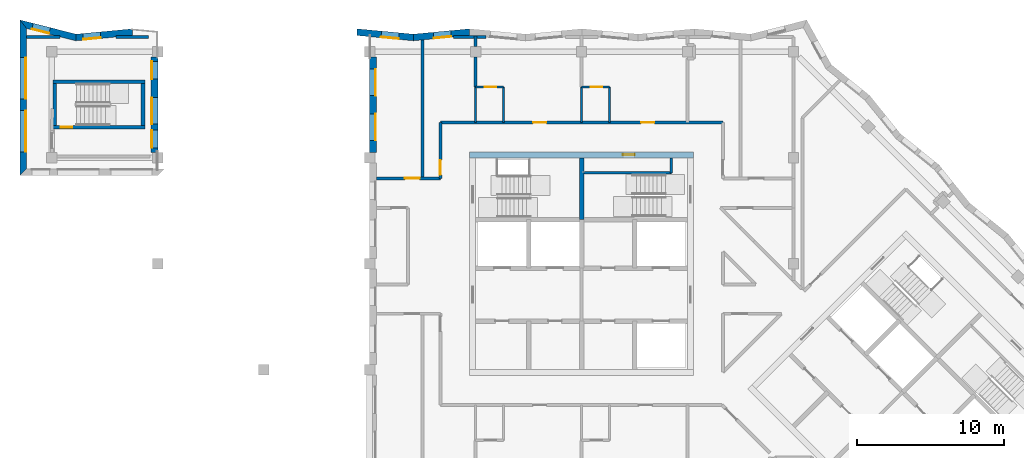
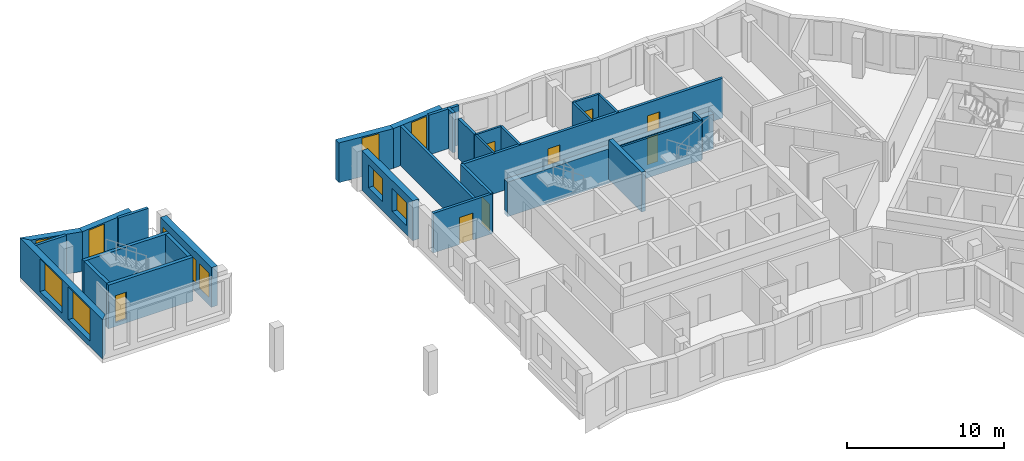
# One storey, part 5 of 12: 30 walls, 11 windows, 8 doors, 19 openings.
"""IFC4 building model written with IfcOpenShell, lengths in metres."""

from ifc_helpers import new_model, si_unit, direction, frame, frame_2d, origin, place, context, subcontext, project, spatial, polyline, rectangle, outline, extrude, material, layer, layer_set, type_object, element, fill, save


model = new_model("IFC4")

# Units and contexts
model_context = context("Model", 3, precision=1e-05, world=origin(), true_north=direction((0.0, 1.0)))
body_context = subcontext(model_context, "Body", "Model", "MODEL_VIEW")
ifc_project = project(units=[si_unit("LENGTHUNIT", "METRE"), si_unit("AREAUNIT", "SQUARE_METRE"), si_unit("VOLUMEUNIT", "CUBIC_METRE"), si_unit("PLANEANGLEUNIT", "RADIAN"), si_unit("MASSUNIT", "GRAM", prefix="KILO")], contexts=[model_context])

# Site, building, storey
site_placement = place(None, origin())
site = spatial("IfcSite", under=ifc_project, at=site_placement, CompositionType="ELEMENT")
building_placement = place(site_placement, origin())
building = spatial("IfcBuilding", under=site, at=building_placement, Name="Windrow Commons", CompositionType="ELEMENT")
storey_placement = place(building_placement, frame((0.0, 0.0, 250.6)))
storey = spatial("IfcBuildingStorey", under=building, at=storey_placement, Name="L68", CompositionType="ELEMENT", Elevation=250.6)

# Wall, opening, window
ifc_material_1 = material(Name="Brick masonry, red clay brick", Category="masonry")
ifc_layer_1 = layer(ifc_material_1, 0.45)
ifc_layer_set_1 = layer_set([ifc_layer_1], Name="Brick facade wall 450")
wall_type_1 = type_object("IfcWallType", Name="Brick facade wall 450", PredefinedType="SOLIDWALL", material=ifc_layer_set_1)
wall_1_placement = place(storey_placement, frame((57.1854, 73.335, 0.0), z_axis=(0.0, 0.0, 1.0), x_axis=(-0.9955603917, -0.0941249513, 0.0)))
wall_1 = element("IfcWall", 1, at=wall_1_placement, inside=storey, type_object=wall_type_1, Name="Brick facade wall L68 23", PredefinedType="SOLIDWALL", context=body_context, shape_type="SweptSolid", body=[
    extrude(outline(polyline([(-0.0213, -0.225), (3.8141, -0.225), (3.8566, 0.225), (0.0213, 0.225), (-0.0213, -0.225)])), origin(), (0.0, 0.0, 1.0), 3.1),
])
opening_1_placement = place(wall_1_placement, frame((1.2604, 0.0, 0.45)))
opening_1 = element("IfcOpeningElement", 2, at=opening_1_placement, cuts=wall_1, Name="Opening W7F", PredefinedType="OPENING", context=body_context, shape_type="SweptSolid", body=[
    extrude(rectangle(XDim=1.2, YDim=2.55, at=frame_2d((0.6, 1.275))), frame((0.0, 0.235, 0.0), z_axis=(0.0, -1.0, 0.0), x_axis=(1.0, 0.0, 0.0)), (0.0, 0.0, 1.0), 0.47),
])
ifc_material_2 = material(Name="Clear float glass in anodised aluminium frame", Category="aluminium")
window_type_1 = type_object("IfcWindowType", Name="Window W7 notch 1200x2550", PartitioningType="SINGLE_PANEL", PredefinedType="WINDOW", material=ifc_material_2)
window_1_placement = place(opening_1_placement, origin())
window_1 = element("IfcWindow", 3, at=window_1_placement, inside=storey, type_object=window_type_1, Name="Window L68 23.1", OverallHeight=2.55, OverallWidth=1.2, PartitioningType="SINGLE_PANEL", PredefinedType="WINDOW", context=body_context, shape_type="SweptSolid", body=[
    extrude(rectangle(XDim=1.2, YDim=2.55, at=frame_2d((0.6, 1.275))), frame((0.0, 0.205, 0.0), z_axis=(0.0, -1.0, 0.0), x_axis=(1.0, 0.0, 0.0)), (0.0, 0.0, 1.0), 0.06),
])
fill(opening_1, window_1)

wall_2_placement = place(storey_placement, frame((53.3671, 72.974, 0.0), z_axis=(0.0, 0.0, 1.0), x_axis=(-0.9955603917, 0.0941249513, 0.0)))
wall_2 = element("IfcWall", 4, at=wall_2_placement, inside=storey, type_object=wall_type_1, Name="Brick facade wall L68 24", PredefinedType="SOLIDWALL", context=body_context, shape_type="SweptSolid", body=[
    extrude(outline(polyline([(0.0213, -0.225), (3.8566, -0.225), (3.8141, 0.225), (-0.0213, 0.225), (0.0213, -0.225)])), origin(), (0.0, 0.0, 1.0), 3.1),
])
opening_2_placement = place(wall_2_placement, frame((0.9902, 0.0, 0.45)))
opening_2 = element("IfcOpeningElement", 5, at=opening_2_placement, cuts=wall_2, Name="Opening W7F", PredefinedType="OPENING", context=body_context, shape_type="SweptSolid", body=[
    extrude(rectangle(XDim=1.2, YDim=2.55, at=frame_2d((0.6, 1.275))), frame((0.0, 0.235, 0.0), z_axis=(0.0, -1.0, 0.0), x_axis=(1.0, 0.0, 0.0)), (0.0, 0.0, 1.0), 0.47),
])
window_2_placement = place(opening_2_placement, origin())
window_2 = element("IfcWindow", 6, at=window_2_placement, inside=storey, type_object=window_type_1, Name="Window L68 24.1", OverallHeight=2.55, OverallWidth=1.2, PartitioningType="SINGLE_PANEL", PredefinedType="WINDOW", context=body_context, shape_type="SweptSolid", body=[
    extrude(rectangle(XDim=1.2, YDim=2.55, at=frame_2d((0.6, 1.275))), frame((0.0, 0.205, 0.0), z_axis=(0.0, -1.0, 0.0), x_axis=(1.0, 0.0, 0.0)), (0.0, 0.0, 1.0), 0.06),
])
fill(opening_2, window_2)

wall_3_placement = place(storey_placement, frame((34.2756, 73.335, 0.0), z_axis=(0.0, 0.0, 1.0), x_axis=(-0.995561488, -0.0941133549, 0.0)))
wall_3 = element("IfcWall", 7, at=wall_3_placement, inside=storey, type_object=wall_type_1, Name="Brick facade wall L68 29", PredefinedType="SOLIDWALL", context=body_context, shape_type="SweptSolid", body=[
    extrude(outline(polyline([(-0.0213, -0.225), (3.8141, -0.225), (3.8915, 0.225), (0.0213, 0.225), (-0.0213, -0.225)])), origin(), (0.0, 0.0, 1.0), 3.1),
])
opening_3_placement = place(wall_3_placement, frame((2.1684, 0.0, 0.45)))
opening_3 = element("IfcOpeningElement", 8, at=opening_3_placement, cuts=wall_3, Name="Opening W7F", PredefinedType="OPENING", context=body_context, shape_type="SweptSolid", body=[
    extrude(rectangle(XDim=1.2, YDim=2.55, at=frame_2d((0.6, 1.275))), frame((0.0, 0.235, 0.0), z_axis=(0.0, -1.0, 0.0), x_axis=(1.0, 0.0, 0.0)), (0.0, 0.0, 1.0), 0.47),
])
window_3_placement = place(opening_3_placement, origin())
window_3 = element("IfcWindow", 9, at=window_3_placement, inside=storey, type_object=window_type_1, Name="Window L68 29.2", OverallHeight=2.55, OverallWidth=1.2, PartitioningType="SINGLE_PANEL", PredefinedType="WINDOW", context=body_context, shape_type="SweptSolid", body=[
    extrude(rectangle(XDim=1.2, YDim=2.55, at=frame_2d((0.6, 1.275))), frame((0.0, 0.205, 0.0), z_axis=(0.0, -1.0, 0.0), x_axis=(1.0, 0.0, 0.0)), (0.0, 0.0, 1.0), 0.06),
])
fill(opening_3, window_3)

wall_4_placement = place(storey_placement, frame((30.4399, 72.9724, 0.0), z_axis=(0.0, 0.0, 1.0), x_axis=(-0.9697568262, 0.2440731406, 0.0)))
wall_4 = element("IfcWall", 10, at=wall_4_placement, inside=storey, type_object=wall_type_1, Name="Brick facade wall L68 30", PredefinedType="SOLIDWALL", context=body_context, shape_type="SweptSolid", body=[
    extrude(outline(polyline([(0.0387, -0.225), (3.9761, -0.225), (3.3988, 0.225), (-0.0387, 0.225), (0.0387, -0.225)])), origin(), (0.0, 0.0, 1.0), 3.1),
])
opening_4_placement = place(wall_4_placement, frame((1.8449, 0.0, 0.45)))
opening_4 = element("IfcOpeningElement", 11, at=opening_4_placement, cuts=wall_4, Name="Opening W7F", PredefinedType="OPENING", context=body_context, shape_type="SweptSolid", body=[
    extrude(rectangle(XDim=1.2, YDim=2.55, at=frame_2d((0.6, 1.275))), frame((0.0, 0.235, 0.0), z_axis=(0.0, -1.0, 0.0), x_axis=(1.0, 0.0, 0.0)), (0.0, 0.0, 1.0), 0.47),
])
window_4_placement = place(opening_4_placement, origin())
window_4 = element("IfcWindow", 12, at=window_4_placement, inside=storey, type_object=window_type_1, Name="Window L68 30.2", OverallHeight=2.55, OverallWidth=1.2, PartitioningType="SINGLE_PANEL", PredefinedType="WINDOW", context=body_context, shape_type="SweptSolid", body=[
    extrude(rectangle(XDim=1.2, YDim=2.55, at=frame_2d((0.6, 1.275))), frame((0.0, 0.205, 0.0), z_axis=(0.0, -1.0, 0.0), x_axis=(1.0, 0.0, 0.0)), (0.0, 0.0, 1.0), 0.06),
])
fill(opening_4, window_4)

# Wall, openings, windows
wall_5_placement = place(storey_placement, frame((26.864, 73.8724, 0.0), z_axis=(0.0, 0.0, 1.0), x_axis=(0.0, -1.0, 0.0)))
wall_5 = element("IfcWall", 13, at=wall_5_placement, inside=storey, type_object=wall_type_1, Name="Brick facade wall L68 31", PredefinedType="SOLIDWALL", context=body_context, shape_type="SweptSolid", body=[
    extrude(outline(polyline([(-0.2886, -0.225), (10.2724, -0.225), (9.8224, 0.225), (0.2886, 0.225), (-0.2886, -0.225)])), origin(), (0.0, 0.0, 1.0), 3.1),
])
opening_5_placement = place(wall_5_placement, frame((2.2724, 0.0, 0.45)))
opening_5 = element("IfcOpeningElement", 14, at=opening_5_placement, cuts=wall_5, Name="Opening W1V", PredefinedType="OPENING", context=body_context, shape_type="SweptSolid", body=[
    extrude(rectangle(XDim=2.8, YDim=2.55, at=frame_2d((1.4, 1.275))), frame((0.0, 0.235, 0.0), z_axis=(0.0, -1.0, 0.0), x_axis=(1.0, 0.0, 0.0)), (0.0, 0.0, 1.0), 0.47),
])
opening_6_placement = place(wall_5_placement, frame((5.8724, 0.0, 0.45)))
opening_6 = element("IfcOpeningElement", 15, at=opening_6_placement, cuts=wall_5, Name="Opening W1V", PredefinedType="OPENING", context=body_context, shape_type="SweptSolid", body=[
    extrude(rectangle(XDim=2.8, YDim=2.55, at=frame_2d((1.4, 1.275))), frame((0.0, 0.235, 0.0), z_axis=(0.0, -1.0, 0.0), x_axis=(1.0, 0.0, 0.0)), (0.0, 0.0, 1.0), 0.47),
])
ifc_material_3 = material(Name="Clear float glass in anodised aluminium frame", Category="aluminium")
window_type_2 = type_object("IfcWindowType", Name="Window W1V bedroom 2800x2550", PartitioningType="SINGLE_PANEL", PredefinedType="WINDOW", material=ifc_material_3)
window_5_placement = place(opening_5_placement, origin())
window_5 = element("IfcWindow", 16, at=window_5_placement, inside=storey, type_object=window_type_2, Name="Window L68 31.1", OverallHeight=2.55, OverallWidth=2.8, PartitioningType="SINGLE_PANEL", PredefinedType="WINDOW", context=body_context, shape_type="SweptSolid", body=[
    extrude(rectangle(XDim=2.8, YDim=2.55, at=frame_2d((1.4, 1.275))), frame((0.0, 0.205, 0.0), z_axis=(0.0, -1.0, 0.0), x_axis=(1.0, 0.0, 0.0)), (0.0, 0.0, 1.0), 0.06),
])
fill(opening_5, window_5)
window_6_placement = place(opening_6_placement, origin())
window_6 = element("IfcWindow", 17, at=window_6_placement, inside=storey, type_object=window_type_2, Name="Window L68 31.2", OverallHeight=2.55, OverallWidth=2.8, PartitioningType="SINGLE_PANEL", PredefinedType="WINDOW", context=body_context, shape_type="SweptSolid", body=[
    extrude(rectangle(XDim=2.8, YDim=2.55, at=frame_2d((1.4, 1.275))), frame((0.0, 0.205, 0.0), z_axis=(0.0, -1.0, 0.0), x_axis=(1.0, 0.0, 0.0)), (0.0, 0.0, 1.0), 0.06),
])
fill(opening_6, window_6)

wall_6_placement = place(storey_placement, frame((35.775, 65.15, 0.0), z_axis=(0.0, 0.0, 1.0), x_axis=(0.0, 1.0, 0.0)))
wall_6 = element("IfcWall", 18, at=wall_6_placement, inside=storey, type_object=wall_type_1, Name="Brick portal return L68 6", PredefinedType="SOLIDWALL", context=body_context, shape_type="SweptSolid", body=[
    extrude(rectangle(XDim=6.5, YDim=0.45, at=frame_2d((3.25, 0.0))), origin(), (0.0, 0.0, 1.0), 3.1),
])
opening_7_placement = place(wall_6_placement, frame((0.325, 0.0, 0.6)))
opening_7 = element("IfcOpeningElement", 19, at=opening_7_placement, cuts=wall_6, Name="Opening W7G", PredefinedType="OPENING", context=body_context, shape_type="SweptSolid", body=[
    extrude(rectangle(XDim=1.2, YDim=1.9, at=frame_2d((0.6, 0.95))), frame((0.0, 0.235, 0.0), z_axis=(0.0, -1.0, 0.0), x_axis=(1.0, 0.0, 0.0)), (0.0, 0.0, 1.0), 0.47),
])
opening_8_placement = place(wall_6_placement, frame((1.9375, 0.0, 0.7)))
opening_8 = element("IfcOpeningElement", 20, at=opening_8_placement, cuts=wall_6, Name="Opening W8", PredefinedType="OPENING", context=body_context, shape_type="SweptSolid", body=[
    extrude(rectangle(XDim=1.8, YDim=1.8, at=frame_2d((0.9, 0.9))), frame((0.0, 0.235, 0.0), z_axis=(0.0, -1.0, 0.0), x_axis=(1.0, 0.0, 0.0)), (0.0, 0.0, 1.0), 0.47),
])
opening_9_placement = place(wall_6_placement, frame((5.0, 0.0, 0.6)))
opening_9 = element("IfcOpeningElement", 21, at=opening_9_placement, cuts=wall_6, Name="Opening W7G", PredefinedType="OPENING", context=body_context, shape_type="SweptSolid", body=[
    extrude(rectangle(XDim=1.2, YDim=1.9, at=frame_2d((0.6, 0.95))), frame((0.0, 0.235, 0.0), z_axis=(0.0, -1.0, 0.0), x_axis=(1.0, 0.0, 0.0)), (0.0, 0.0, 1.0), 0.47),
])
ifc_material_4 = material(Name="Clear float glass in anodised aluminium frame", Category="aluminium")
window_type_3 = type_object("IfcWindowType", Name="Window W7 notch 1200x1900", PartitioningType="SINGLE_PANEL", PredefinedType="WINDOW", material=ifc_material_4)
window_7_placement = place(opening_7_placement, origin())
window_7 = element("IfcWindow", 22, at=window_7_placement, inside=storey, type_object=window_type_3, Name="Window L68 portal 6.1.1A", OverallHeight=1.9, OverallWidth=1.2, PartitioningType="SINGLE_PANEL", PredefinedType="WINDOW", context=body_context, shape_type="SweptSolid", body=[
    extrude(rectangle(XDim=1.2, YDim=1.9, at=frame_2d((0.6, 0.95))), frame((0.0, 0.205, 0.0), z_axis=(0.0, -1.0, 0.0), x_axis=(1.0, 0.0, 0.0)), (0.0, 0.0, 1.0), 0.06),
])
fill(opening_7, window_7)
window_8_placement = place(opening_9_placement, origin())
window_8 = element("IfcWindow", 23, at=window_8_placement, inside=storey, type_object=window_type_3, Name="Window L68 portal 6.1.2A", OverallHeight=1.9, OverallWidth=1.2, PartitioningType="SINGLE_PANEL", PredefinedType="WINDOW", context=body_context, shape_type="SweptSolid", body=[
    extrude(rectangle(XDim=1.2, YDim=1.9, at=frame_2d((0.6, 0.95))), frame((0.0, 0.205, 0.0), z_axis=(0.0, -1.0, 0.0), x_axis=(1.0, 0.0, 0.0)), (0.0, 0.0, 1.0), 0.06),
])
fill(opening_9, window_8)
ifc_material_5 = material(Name="Clear float glass in anodised aluminium frame", Category="aluminium")
window_type_4 = type_object("IfcWindowType", Name="Window W8 portal 1800x1800", PartitioningType="SINGLE_PANEL", PredefinedType="WINDOW", material=ifc_material_5)
window_9_placement = place(opening_8_placement, origin())
window_9 = element("IfcWindow", 24, at=window_9_placement, inside=storey, type_object=window_type_4, Name="Window L68 portal 6.1.1B", OverallHeight=1.8, OverallWidth=1.8, PartitioningType="SINGLE_PANEL", PredefinedType="WINDOW", context=body_context, shape_type="SweptSolid", body=[
    extrude(rectangle(XDim=1.8, YDim=1.8, at=frame_2d((0.9, 0.9))), frame((0.0, 0.205, 0.0), z_axis=(0.0, -1.0, 0.0), x_axis=(1.0, 0.0, 0.0)), (0.0, 0.0, 1.0), 0.06),
])
fill(opening_8, window_9)

wall_7_placement = place(storey_placement, frame((50.625, 71.65, 0.0), z_axis=(0.0, 0.0, 1.0), x_axis=(0.0, -1.0, 0.0)))
wall_7 = element("IfcWall", 25, at=wall_7_placement, inside=storey, type_object=wall_type_1, Name="Brick portal return L68 12", PredefinedType="SOLIDWALL", context=body_context, shape_type="SweptSolid", body=[
    extrude(rectangle(XDim=6.5, YDim=0.45, at=frame_2d((3.25, 0.0))), origin(), (0.0, 0.0, 1.0), 3.1),
])
opening_10_placement = place(wall_7_placement, frame((0.825, 0.0, 0.7)))
opening_10 = element("IfcOpeningElement", 26, at=opening_10_placement, cuts=wall_7, Name="Opening W8", PredefinedType="OPENING", context=body_context, shape_type="SweptSolid", body=[
    extrude(rectangle(XDim=1.8, YDim=1.8, at=frame_2d((0.9, 0.9))), frame((0.0, 0.235, 0.0), z_axis=(0.0, -1.0, 0.0), x_axis=(1.0, 0.0, 0.0)), (0.0, 0.0, 1.0), 0.47),
])
opening_11_placement = place(wall_7_placement, frame((3.875, 0.0, 0.7)))
opening_11 = element("IfcOpeningElement", 27, at=opening_11_placement, cuts=wall_7, Name="Opening W8", PredefinedType="OPENING", context=body_context, shape_type="SweptSolid", body=[
    extrude(rectangle(XDim=1.8, YDim=1.8, at=frame_2d((0.9, 0.9))), frame((0.0, 0.235, 0.0), z_axis=(0.0, -1.0, 0.0), x_axis=(1.0, 0.0, 0.0)), (0.0, 0.0, 1.0), 0.47),
])
window_10_placement = place(opening_10_placement, origin())
window_10 = element("IfcWindow", 28, at=window_10_placement, inside=storey, type_object=window_type_4, Name="Window L68 portal 12.1.1", OverallHeight=1.8, OverallWidth=1.8, PartitioningType="SINGLE_PANEL", PredefinedType="WINDOW", context=body_context, shape_type="SweptSolid", body=[
    extrude(rectangle(XDim=1.8, YDim=1.8, at=frame_2d((0.9, 0.9))), frame((0.0, 0.205, 0.0), z_axis=(0.0, -1.0, 0.0), x_axis=(1.0, 0.0, 0.0)), (0.0, 0.0, 1.0), 0.06),
])
fill(opening_10, window_10)
window_11_placement = place(opening_11_placement, origin())
window_11 = element("IfcWindow", 29, at=window_11_placement, inside=storey, type_object=window_type_4, Name="Window L68 portal 12.1.2", OverallHeight=1.8, OverallWidth=1.8, PartitioningType="SINGLE_PANEL", PredefinedType="WINDOW", context=body_context, shape_type="SweptSolid", body=[
    extrude(rectangle(XDim=1.8, YDim=1.8, at=frame_2d((0.9, 0.9))), frame((0.0, 0.205, 0.0), z_axis=(0.0, -1.0, 0.0), x_axis=(1.0, 0.0, 0.0)), (0.0, 0.0, 1.0), 0.06),
])
fill(opening_11, window_11)

# Wall, openings, doors
ifc_material_6 = material(Name="Blockwork partition", Category="masonry")
ifc_layer_2 = layer(ifc_material_6, 0.2)
ifc_layer_set_2 = layer_set([ifc_layer_2], Name="IW-CORRIDOR-200")
wall_type_2 = type_object("IfcWallType", Name="IW-CORRIDOR-200", PredefinedType="PARTITIONING", material=ifc_layer_set_2)
wall_8_placement = place(storey_placement, frame((55.2, 67.2, 0.0), z_axis=(0.0, 0.0, 1.0), x_axis=(1.0, 0.0, 0.0)))
wall_8 = element("IfcWall", 30, at=wall_8_placement, inside=storey, type_object=wall_type_2, Name="W-L68-W000", PredefinedType="PARTITIONING", context=body_context, shape_type="SweptSolid", body=[
    extrude(rectangle(XDim=19.2, YDim=0.2, at=frame_2d((9.6, 0.0))), origin(), (0.0, 0.0, 1.0), 3.1),
])
opening_12_placement = place(wall_8_placement, frame((6.2994, 0.0, 0.0)))
opening_12 = element("IfcOpeningElement", 31, at=opening_12_placement, cuts=wall_8, Name="Opening D109F", PredefinedType="OPENING", context=body_context, shape_type="SweptSolid", body=[
    extrude(rectangle(XDim=0.9, YDim=2.1, at=frame_2d((0.45, 1.05))), frame((0.0, 0.11, 0.0), z_axis=(0.0, -1.0, 0.0), x_axis=(1.0, 0.0, 0.0)), (0.0, 0.0, 1.0), 0.22),
])
opening_13_placement = place(wall_8_placement, frame((13.65, 0.0, 0.0)))
opening_13 = element("IfcOpeningElement", 32, at=opening_13_placement, cuts=wall_8, Name="Opening D109F", PredefinedType="OPENING", context=body_context, shape_type="SweptSolid", body=[
    extrude(rectangle(XDim=0.9, YDim=2.1, at=frame_2d((0.45, 1.05))), frame((0.0, 0.11, 0.0), z_axis=(0.0, -1.0, 0.0), x_axis=(1.0, 0.0, 0.0)), (0.0, 0.0, 1.0), 0.22),
])
ifc_material_7 = material(Name="Timber door leaf", Category="wood")
door_type_1 = type_object("IfcDoorType", Name="DT-BEDROOM-900", OperationType="SINGLE_SWING_LEFT", PredefinedType="DOOR", material=ifc_material_7)
door_1_placement = place(opening_12_placement, origin())
door_1 = element("IfcDoor", 33, at=door_1_placement, inside=storey, type_object=door_type_1, Name="D-L68-D013", OperationType="SINGLE_SWING_RIGHT", OverallHeight=2.1, OverallWidth=0.9, PredefinedType="DOOR", context=body_context, shape_type="SweptSolid", body=[
    extrude(rectangle(XDim=0.9, YDim=2.1, at=frame_2d((0.45, 1.05))), frame((0.0, 0.025, 0.0), z_axis=(0.0, -1.0, 0.0), x_axis=(1.0, 0.0, 0.0)), (0.0, 0.0, 1.0), 0.05),
])
fill(opening_12, door_1)
door_2_placement = place(opening_13_placement, origin())
door_2 = element("IfcDoor", 34, at=door_2_placement, inside=storey, type_object=door_type_1, Name="D-L68-D015", OperationType="SINGLE_SWING_RIGHT", OverallHeight=2.1, OverallWidth=0.9, PredefinedType="DOOR", context=body_context, shape_type="SweptSolid", body=[
    extrude(rectangle(XDim=0.9, YDim=2.1, at=frame_2d((0.45, 1.05))), frame((0.0, 0.025, 0.0), z_axis=(0.0, -1.0, 0.0), x_axis=(1.0, 0.0, 0.0)), (0.0, 0.0, 1.0), 0.05),
])
fill(opening_13, door_2)

# Wall, opening, door
wall_9_placement = place(storey_placement, frame((50.85, 63.4, 0.0), z_axis=(0.0, 0.0, 1.0), x_axis=(1.0, 0.0, 0.0)))
wall_9 = element("IfcWall", 35, at=wall_9_placement, inside=storey, type_object=wall_type_2, Name="W-L68-W028", PredefinedType="PARTITIONING", context=body_context, shape_type="SweptSolid", body=[
    extrude(rectangle(XDim=4.35, YDim=0.2, at=frame_2d((2.175, 0.0))), origin(), (0.0, 0.0, 1.0), 3.1),
])
opening_14_placement = place(wall_9_placement, frame((1.9457, 0.0, 0.0)))
opening_14 = element("IfcOpeningElement", 36, at=opening_14_placement, cuts=wall_9, Name="Opening D310F", PredefinedType="OPENING", context=body_context, shape_type="SweptSolid", body=[
    extrude(rectangle(XDim=1.0, YDim=2.1, at=frame_2d((0.5, 1.05))), frame((0.0, 0.11, 0.0), z_axis=(0.0, -1.0, 0.0), x_axis=(1.0, 0.0, 0.0)), (0.0, 0.0, 1.0), 0.22),
])
ifc_material_8 = material(Name="Timber door leaf", Category="wood")
door_type_2 = type_object("IfcDoorType", Name="DT-AMENITY-1000", OperationType="SINGLE_SWING_LEFT", PredefinedType="DOOR", material=ifc_material_8)
door_3_placement = place(opening_14_placement, origin())
door_3 = element("IfcDoor", 37, at=door_3_placement, inside=storey, type_object=door_type_2, Name="D-L68-D009", OperationType="SINGLE_SWING_RIGHT", OverallHeight=2.1, OverallWidth=1.0, PredefinedType="DOOR", context=body_context, shape_type="SweptSolid", body=[
    extrude(rectangle(XDim=1.0, YDim=2.1, at=frame_2d((0.5, 1.05))), frame((0.0, 0.025, 0.0), z_axis=(0.0, -1.0, 0.0), x_axis=(1.0, 0.0, 0.0)), (0.0, 0.0, 1.0), 0.05),
])
fill(opening_14, door_3)

wall_10_placement = place(storey_placement, frame((55.2, 63.402, 0.0), z_axis=(0.0, 0.0, 1.0), x_axis=(0.0, 1.0, 0.0)))
wall_10 = element("IfcWall", 38, at=wall_10_placement, inside=storey, type_object=wall_type_2, Name="W-L68-W033", PredefinedType="PARTITIONING", context=body_context, shape_type="SweptSolid", body=[
    extrude(rectangle(XDim=3.798, YDim=0.2, at=frame_2d((1.899, 0.0))), origin(), (0.0, 0.0, 1.0), 3.1),
])
opening_15_placement = place(wall_10_placement, frame((0.2313, 0.0, 0.0)))
opening_15 = element("IfcOpeningElement", 39, at=opening_15_placement, cuts=wall_10, Name="Opening D310F", PredefinedType="OPENING", context=body_context, shape_type="SweptSolid", body=[
    extrude(rectangle(XDim=1.0, YDim=2.1, at=frame_2d((0.5, 1.05))), frame((0.0, 0.11, 0.0), z_axis=(0.0, -1.0, 0.0), x_axis=(1.0, 0.0, 0.0)), (0.0, 0.0, 1.0), 0.22),
])
door_4_placement = place(opening_15_placement, origin())
door_4 = element("IfcDoor", 40, at=door_4_placement, inside=storey, type_object=door_type_2, Name="D-L68-D010", OperationType="SINGLE_SWING_LEFT", OverallHeight=2.1, OverallWidth=1.0, PredefinedType="DOOR", context=body_context, shape_type="SweptSolid", body=[
    extrude(rectangle(XDim=1.0, YDim=2.1, at=frame_2d((0.5, 1.05))), frame((0.0, 0.025, 0.0), z_axis=(0.0, -1.0, 0.0), x_axis=(1.0, 0.0, 0.0)), (0.0, 0.0, 1.0), 0.05),
])
fill(opening_15, door_4)

# Walls
ifc_material_9 = material(Name="Blockwork partition", Category="masonry")
ifc_layer_3 = layer(ifc_material_9, 0.15)
ifc_layer_set_3 = layer_set([ifc_layer_3], Name="IW-ENSUITE-150")
wall_type_3 = type_object("IfcWallType", Name="IW-ENSUITE-150", PredefinedType="PARTITIONING", material=ifc_layer_set_3)
for number, where, z_axis, x_axis, name in (
    (41, (59.5, 67.2, 0.0), (0.0, 0.0, 1.0), (0.0, 1.0, 0.0), "W-L68-W049"),
    (42, (57.6, 67.2, 0.0), (0.0, 0.0, 1.0), (0.0, 1.0, 0.0), "W-L68-W050"),
    (43, (66.7, 67.2, 0.0), (0.0, 0.0, 1.0), (0.0, 1.0, 0.0), "W-L68-W051"),
    (44, (64.8, 67.2, 0.0), (0.0, 0.0, 1.0), (0.0, 1.0, 0.0), "W-L68-W052"),
):
    element("IfcWall", number, at=place(storey_placement, frame(where, z_axis=z_axis, x_axis=x_axis)), inside=storey, type_object=wall_type_3, Name=name, PredefinedType="PARTITIONING", context=body_context, shape_type="SweptSolid", body=[
        extrude(rectangle(XDim=2.4, YDim=0.15, at=frame_2d((1.2, 0.0))), origin(), (0.0, 0.0, 1.0), 3.1),
    ])

# Wall, opening, door
wall_11_placement = place(storey_placement, frame((64.8, 69.6, 0.0), z_axis=(0.0, 0.0, 1.0), x_axis=(1.0, 0.0, 0.0)))
wall_11 = element("IfcWall", 45, at=wall_11_placement, inside=storey, type_object=wall_type_3, Name="W-L68-W074", PredefinedType="PARTITIONING", context=body_context, shape_type="SweptSolid", body=[
    extrude(rectangle(XDim=1.9, YDim=0.15, at=frame_2d((0.95, 0.0))), origin(), (0.0, 0.0, 1.0), 3.1),
])
opening_16_placement = place(wall_11_placement, frame((0.6069, 0.0, 0.0)))
opening_16 = element("IfcOpeningElement", 46, at=opening_16_placement, cuts=wall_11, Name="Opening D208N", PredefinedType="OPENING", context=body_context, shape_type="SweptSolid", body=[
    extrude(rectangle(XDim=0.8, YDim=2.1, at=frame_2d((0.4, 1.05))), frame((0.0, 0.085, 0.0), z_axis=(0.0, -1.0, 0.0), x_axis=(1.0, 0.0, 0.0)), (0.0, 0.0, 1.0), 0.17),
])
ifc_material_10 = material(Name="Timber door leaf", Category="wood")
door_type_3 = type_object("IfcDoorType", Name="DT-ENSUITE-800", OperationType="SINGLE_SWING_LEFT", PredefinedType="DOOR", material=ifc_material_10)
door_5_placement = place(opening_16_placement, origin())
door_5 = element("IfcDoor", 47, at=door_5_placement, inside=storey, type_object=door_type_3, Name="D-L68-D016", OperationType="SINGLE_SWING_RIGHT", OverallHeight=2.1, OverallWidth=0.8, PredefinedType="DOOR", context=body_context, shape_type="SweptSolid", body=[
    extrude(rectangle(XDim=0.8, YDim=2.1, at=frame_2d((0.4, 1.05))), frame((0.0, 0.025, 0.0), z_axis=(0.0, -1.0, 0.0), x_axis=(1.0, 0.0, 0.0)), (0.0, 0.0, 1.0), 0.05),
])
fill(opening_16, door_5)

wall_12_placement = place(storey_placement, frame((57.6, 69.6, 0.0), z_axis=(0.0, 0.0, 1.0), x_axis=(1.0, 0.0, 0.0)))
wall_12 = element("IfcWall", 48, at=wall_12_placement, inside=storey, type_object=wall_type_3, Name="W-L68-W076", PredefinedType="PARTITIONING", context=body_context, shape_type="SweptSolid", body=[
    extrude(rectangle(XDim=1.9, YDim=0.15, at=frame_2d((0.95, 0.0))), origin(), (0.0, 0.0, 1.0), 3.1),
])
opening_17_placement = place(wall_12_placement, frame((0.6069, 0.0, 0.0)))
opening_17 = element("IfcOpeningElement", 49, at=opening_17_placement, cuts=wall_12, Name="Opening D208N", PredefinedType="OPENING", context=body_context, shape_type="SweptSolid", body=[
    extrude(rectangle(XDim=0.8, YDim=2.1, at=frame_2d((0.4, 1.05))), frame((0.0, 0.085, 0.0), z_axis=(0.0, -1.0, 0.0), x_axis=(1.0, 0.0, 0.0)), (0.0, 0.0, 1.0), 0.17),
])
door_6_placement = place(opening_17_placement, origin())
door_6 = element("IfcDoor", 50, at=door_6_placement, inside=storey, type_object=door_type_3, Name="D-L68-D014", OperationType="SINGLE_SWING_RIGHT", OverallHeight=2.1, OverallWidth=0.8, PredefinedType="DOOR", context=body_context, shape_type="SweptSolid", body=[
    extrude(rectangle(XDim=0.8, YDim=2.1, at=frame_2d((0.4, 1.05))), frame((0.0, 0.025, 0.0), z_axis=(0.0, -1.0, 0.0), x_axis=(1.0, 0.0, 0.0)), (0.0, 0.0, 1.0), 0.05),
])
fill(opening_17, door_6)

# Walls
ifc_material_11 = material(Name="Blockwork partition", Category="masonry")
ifc_layer_4 = layer(ifc_material_11, 0.2)
ifc_layer_set_4 = layer_set([ifc_layer_4], Name="IW-PARTY-200")
wall_type_4 = type_object("IfcWallType", Name="IW-PARTY-200", PredefinedType="PARTITIONING", material=ifc_layer_set_4)
wall_13_placement = place(storey_placement, frame((54.0, 63.4, 0.0), z_axis=(0.0, 0.0, 1.0), x_axis=(0.0, 1.0, 0.0)))
element("IfcWall", 51, at=wall_13_placement, inside=storey, type_object=wall_type_4, Name="W-L68-W008", PredefinedType="PARTITIONING", context=body_context, shape_type="SweptSolid", body=[
    extrude(rectangle(XDim=9.4078, YDim=0.2, at=frame_2d((4.7039, 0.0))), origin(), (0.0, 0.0, 1.0), 3.1),
])
wall_14_placement = place(storey_placement, frame((27.089, 73.0, 0.0), z_axis=(0.0, 0.0, 1.0), x_axis=(1.0, 0.0, 0.0)))
element("IfcWall", 52, at=wall_14_placement, inside=storey, type_object=wall_type_4, Name="W-L68-W055", PredefinedType="PARTITIONING", context=body_context, shape_type="SweptSolid", body=[
    extrude(rectangle(XDim=2.2692, YDim=0.2, at=frame_2d((1.1346, 0.0))), origin(), (0.0, 0.0, 1.0), 3.1),
])
for number, where, z_axis, x_axis, name in (
    (53, (33.1728, 73.0, 0.0), (0.0, 0.0, 1.0), (1.0, 0.0, 0.0), "W-L68-W058"),
    (54, (56.0826, 73.0, 0.0), (0.0, 0.0, 1.0), (1.0, 0.0, 0.0), "W-L68-W059"),
):
    element("IfcWall", number, at=place(storey_placement, frame(where, z_axis=z_axis, x_axis=x_axis)), inside=storey, type_object=wall_type_4, Name=name, PredefinedType="PARTITIONING", context=body_context, shape_type="SweptSolid", body=[
        extrude(rectangle(XDim=2.2056, YDim=0.2, at=frame_2d((1.1028, 0.0))), origin(), (0.0, 0.0, 1.0), 3.1),
    ])
wall_15_placement = place(storey_placement, frame((57.6, 69.6, 0.0), z_axis=(0.0, 0.0, 1.0), x_axis=(0.0, 1.0, 0.0)))
element("IfcWall", 55, at=wall_15_placement, inside=storey, type_object=wall_type_4, Name="W-L68-W064", PredefinedType="PARTITIONING", context=body_context, shape_type="SweptSolid", body=[
    extrude(rectangle(XDim=2.05, YDim=0.2, at=frame_2d((1.025, 0.0))), origin(), (0.0, 0.0, 1.0), 3.1),
])
wall_16_placement = place(storey_placement, frame((57.6, 72.35, 0.0), z_axis=(0.0, 0.0, 1.0), x_axis=(0.0, 1.0, 0.0)))
element("IfcWall", 56, at=wall_16_placement, inside=storey, type_object=wall_type_4, Name="W-L68-W090", PredefinedType="PARTITIONING", context=body_context, shape_type="SweptSolid", body=[
    extrude(rectangle(XDim=0.7198, YDim=0.2, at=frame_2d((0.3599, 0.0))), origin(), (0.0, 0.0, 1.0), 3.1),
])

# Wall, opening, door
ifc_material_12 = material(Name="Concrete C40/50", Category="concrete")
ifc_layer_5 = layer(ifc_material_12, 0.4)
ifc_layer_set_5 = layer_set([ifc_layer_5], Name="RC CORE WALL 400 C40/50")
wall_type_5 = type_object("IfcWallType", Name="RC CORE WALL 400 C40/50", PredefinedType="SHEAR", material=ifc_layer_set_5)
wall_17_placement = place(storey_placement, frame((57.2, 65.0, -0.3), z_axis=(0.0, 0.0, 1.0), x_axis=(1.0, 0.0, 0.0)))
wall_17 = element("IfcWall", 57, at=wall_17_placement, inside=storey, type_object=wall_type_5, Name="Core A wall outer-N", PredefinedType="SHEAR", context=body_context, shape_type="SweptSolid", body=[
    extrude(rectangle(XDim=15.2, YDim=0.4, at=frame_2d((7.6, 0.0))), origin(), (0.0, 0.0, 1.0), 2.7),
])
opening_18_placement = place(wall_17_placement, frame((10.4, 0.0, 0.3)))
opening_18 = element("IfcOpeningElement", 58, at=opening_18_placement, cuts=wall_17, Name="Opening D9", PredefinedType="OPENING", context=body_context, shape_type="SweptSolid", body=[
    extrude(rectangle(XDim=0.8, YDim=2.1, at=frame_2d((0.4, 1.05))), frame((0.0, 0.21, 0.0), z_axis=(0.0, -1.0, 0.0), x_axis=(1.0, 0.0, 0.0)), (0.0, 0.0, 1.0), 0.42),
])
ifc_material_13 = material(Name="Steel fire door leaf", Category="steel")
door_type_4 = type_object("IfcDoorType", Name="Riser access door 800", OperationType="SINGLE_SWING_LEFT", PredefinedType="DOOR", material=ifc_material_13)
door_7_placement = place(opening_18_placement, origin())
door_7 = element("IfcDoor", 59, at=door_7_placement, inside=storey, type_object=door_type_4, Name="Riser access door", OperationType="SINGLE_SWING_RIGHT", OverallHeight=2.1, OverallWidth=0.8, PredefinedType="DOOR", context=body_context, shape_type="SweptSolid", body=[
    extrude(rectangle(XDim=0.8, YDim=2.1, at=frame_2d((0.4, 1.05))), frame((0.0, 0.025, 0.0), z_axis=(0.0, -1.0, 0.0), x_axis=(1.0, 0.0, 0.0)), (0.0, 0.0, 1.0), 0.05),
])
fill(opening_18, door_7)

ifc_material_14 = material(Name="Concrete C40/50", Category="concrete")
ifc_layer_6 = layer(ifc_material_14, 0.25)
ifc_layer_set_6 = layer_set([ifc_layer_6], Name="RC SHAFT WALL 250 C40/50")
wall_type_6 = type_object("IfcWallType", Name="RC SHAFT WALL 250 C40/50", PredefinedType="SOLIDWALL", material=ifc_layer_set_6)
wall_18_placement = place(storey_placement, frame((28.875, 66.875, -0.3), z_axis=(0.0, 0.0, 1.0), x_axis=(1.0, 0.0, 0.0)))
wall_18 = element("IfcWall", 60, at=wall_18_placement, inside=storey, type_object=wall_type_6, Name="Stair enclosure wall L68 S", PredefinedType="SOLIDWALL", context=body_context, shape_type="SweptSolid", body=[
    extrude(rectangle(XDim=6.25, YDim=0.25, at=frame_2d((3.125, 0.0))), origin(), (0.0, 0.0, 1.0), 3.4),
])
opening_19_placement = place(wall_18_placement, frame((0.525, 0.0, 0.3)))
opening_19 = element("IfcOpeningElement", 61, at=opening_19_placement, cuts=wall_18, Name="Opening D23", PredefinedType="OPENING", context=body_context, shape_type="SweptSolid", body=[
    extrude(rectangle(XDim=0.8, YDim=2.1, at=frame_2d((0.4, 1.05))), frame((0.0, 0.135, 0.0), z_axis=(0.0, -1.0, 0.0), x_axis=(1.0, 0.0, 0.0)), (0.0, 0.0, 1.0), 0.27),
])
ifc_material_15 = material(Name="Steel fire door leaf", Category="steel")
door_type_5 = type_object("IfcDoorType", Name="Stair door 800", OperationType="SINGLE_SWING_LEFT", PredefinedType="DOOR", material=ifc_material_15)
door_8_placement = place(opening_19_placement, origin())
door_8 = element("IfcDoor", 62, at=door_8_placement, inside=storey, type_object=door_type_5, Name="Stair door", OperationType="SINGLE_SWING_LEFT", OverallHeight=2.1, OverallWidth=0.8, PredefinedType="DOOR", context=body_context, shape_type="SweptSolid", body=[
    extrude(rectangle(XDim=0.8, YDim=2.1, at=frame_2d((0.4, 1.05))), frame((0.0, 0.025, 0.0), z_axis=(0.0, -1.0, 0.0), x_axis=(1.0, 0.0, 0.0)), (0.0, 0.0, 1.0), 0.05),
])
fill(opening_19, door_8)

# Walls
wall_19_placement = place(storey_placement, frame((28.875, 69.975, -0.3), z_axis=(0.0, 0.0, 1.0), x_axis=(1.0, 0.0, 0.0)))
element("IfcWall", 63, at=wall_19_placement, inside=storey, type_object=wall_type_6, Name="Stair enclosure wall L68 N", PredefinedType="SOLIDWALL", context=body_context, shape_type="SweptSolid", body=[
    extrude(rectangle(XDim=6.25, YDim=0.25, at=frame_2d((3.125, 0.0))), origin(), (0.0, 0.0, 1.0), 3.4),
])
for number, where, z_axis, x_axis, name in (
    (64, (29.0, 67.0, -0.3), (0.0, 0.0, 1.0), (0.0, 1.0, 0.0), "Stair enclosure wall L68 W"),
    (65, (35.0, 67.0, -0.3), (0.0, 0.0, 1.0), (0.0, 1.0, 0.0), "Stair enclosure wall L68 E"),
):
    element("IfcWall", number, at=place(storey_placement, frame(where, z_axis=z_axis, x_axis=x_axis)), inside=storey, type_object=wall_type_6, Name=name, PredefinedType="SOLIDWALL", context=body_context, shape_type="SweptSolid", body=[
        extrude(rectangle(XDim=2.85, YDim=0.25, at=frame_2d((1.425, 0.0))), origin(), (0.0, 0.0, 1.0), 3.4),
    ])
ifc_material_16 = material(Name="Concrete C40/50", Category="concrete")
ifc_layer_7 = layer(ifc_material_16, 0.3)
ifc_layer_set_7 = layer_set([ifc_layer_7], Name="RC SHAFT WALL 300 C40/50")
wall_type_7 = type_object("IfcWallType", Name="RC SHAFT WALL 300 C40/50", PredefinedType="SOLIDWALL", material=ifc_layer_set_7)
wall_20_placement = place(storey_placement, frame((64.8, 60.6, 0.0), z_axis=(0.0, 0.0, 1.0), x_axis=(0.0, 1.0, 0.0)))
element("IfcWall", 66, at=wall_20_placement, inside=storey, type_object=wall_type_7, Name="Core A wall stair-mid", PredefinedType="SOLIDWALL", context=body_context, shape_type="SweptSolid", body=[
    extrude(rectangle(XDim=4.2, YDim=0.3, at=frame_2d((2.1, 0.0))), origin(), (0.0, 0.0, 1.0), 3.1),
])
ifc_material_17 = material(Name="Blockwork partition", Category="masonry")
ifc_layer_8 = layer(ifc_material_17, 0.15)
ifc_layer_set_8 = layer_set([ifc_layer_8], Name="Riser partition 150")
wall_type_8 = type_object("IfcWallType", Name="Riser partition 150", PredefinedType="PARTITIONING", material=ifc_layer_set_8)
wall_21_placement = place(storey_placement, frame((64.95, 63.78, 0.0), z_axis=(0.0, 0.0, 1.0), x_axis=(1.0, 0.0, 0.0)))
element("IfcWall", 67, at=wall_21_placement, inside=storey, type_object=wall_type_8, Name="W-core-strip-A-L68", PredefinedType="PARTITIONING", context=body_context, shape_type="SweptSolid", body=[
    extrude(rectangle(XDim=5.95, YDim=0.15, at=frame_2d((2.975, 0.0))), origin(), (0.0, 0.0, 1.0), 3.1),
])
wall_22_placement = place(storey_placement, frame((70.9, 63.78, 0.0), z_axis=(0.0, 0.0, 1.0), x_axis=(0.0, 1.0, 0.0)))
element("IfcWall", 68, at=wall_22_placement, inside=storey, type_object=wall_type_8, Name="W-core-stripx-A-L68-1", PredefinedType="PARTITIONING", context=body_context, shape_type="SweptSolid", body=[
    extrude(rectangle(XDim=1.02, YDim=0.15, at=frame_2d((0.51, 0.0))), origin(), (0.0, 0.0, 1.0), 3.1),
])

save(model, "model.ifc")
